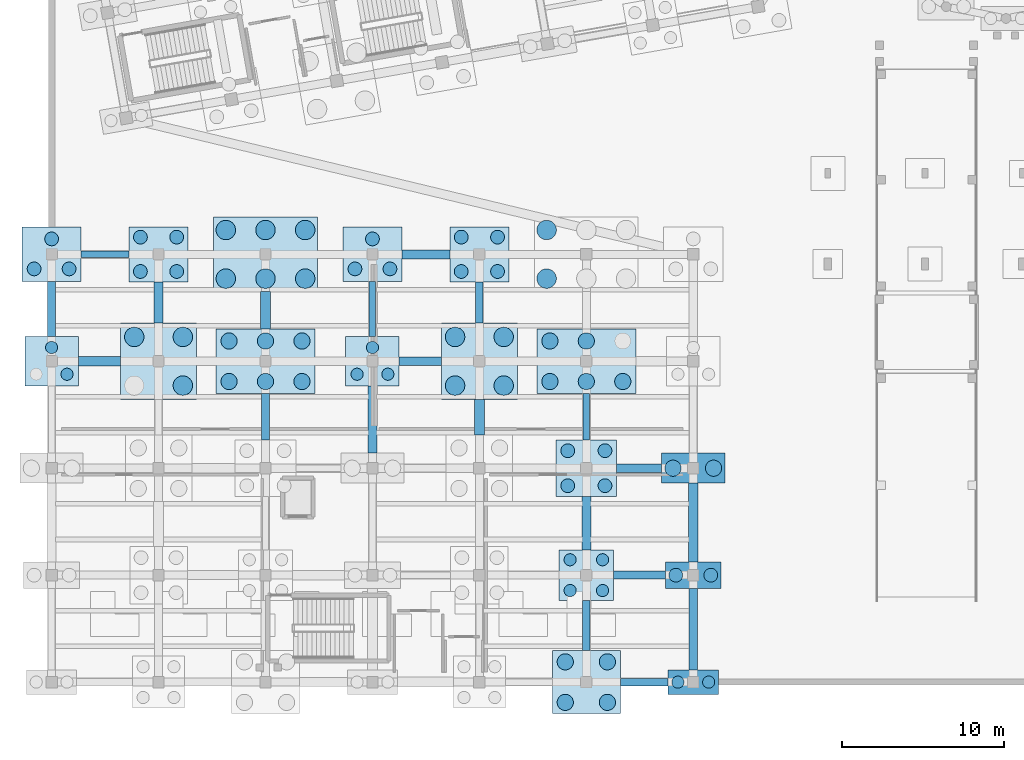
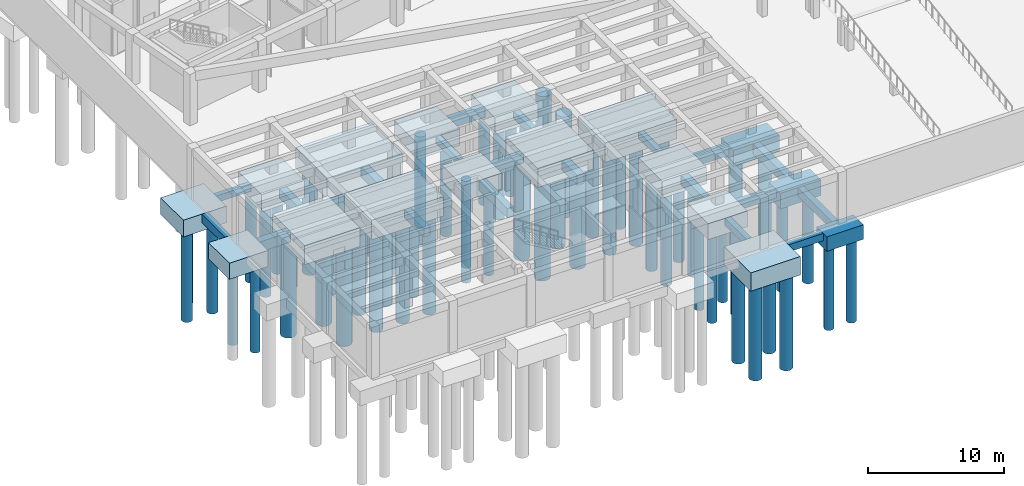
# One storey, part 2 of 34: 63 piles, 37 footings.
"""IFC4 building model written with IfcOpenShell, lengths in metres."""

from ifc_helpers import new_model, si_unit, direction, frame, origin, origin_2d, place, context, subcontext, project, spatial, rectangle, circle, extrude, material, material_profile, profile_set, type_object, element, save


model = new_model("IFC4")

# Units and contexts
model_context = context("Model", 3, precision=1e-05, world=origin(), true_north=direction((0.0, 1.0)))
body_context = subcontext(model_context, "Body", "Model", "MODEL_VIEW")
ifc_project = project(units=[si_unit("LENGTHUNIT", "METRE"), si_unit("AREAUNIT", "SQUARE_METRE"), si_unit("VOLUMEUNIT", "CUBIC_METRE"), si_unit("PLANEANGLEUNIT", "RADIAN"), si_unit("MASSUNIT", "GRAM", prefix="KILO")], contexts=[model_context])

# Site, building, storey
site_placement = place(None, origin())
site = spatial("IfcSite", under=ifc_project, at=site_placement, CompositionType="ELEMENT")
building_placement = place(site_placement, origin())
building = spatial("IfcBuilding", under=site, at=building_placement, Name="Kharisveld Research Institute", CompositionType="ELEMENT")
storey_placement = place(building_placement, frame((0.0, 0.0, -4.800048828125)))
storey = spatial("IfcBuildingStorey", under=building, at=storey_placement, Name="B1", CompositionType="ELEMENT", Elevation=-4.800048828125)

# Footings
ifc_material_1 = material(Name="Concrete C35/45", Category="concrete")
ifc_material_profile_1 = material_profile(ifc_material_1, rectangle(XDim=0.449951171875, YDim=0.64990234375, at=origin_2d()))
ifc_profile_set_1 = profile_set([ifc_material_profile_1], Name="Concrete C35/45")
footing_type_1 = type_object("IfcFootingType", Name="GB_01", PredefinedType="FOOTING_BEAM", material=ifc_profile_set_1)
footing_1_placement = place(storey_placement, frame((35.699951171875, 0.199951171875, -0.77490234375), z_axis=(1.0, 0.0, 0.0), x_axis=(0.0, 1.0, 0.0)))
element("IfcFooting", 1, at=footing_1_placement, inside=storey, type_object=footing_type_1, Name="FTG:GB:V3:U5_0", PredefinedType="FOOTING_BEAM", context=body_context, shape_type="SweptSolid", body=[
    extrude(rectangle(XDim=0.449951171875, YDim=0.64990234375, at=origin_2d()), origin(), (0.0, 0.0, 1.0), 2.949951171875),
])
footing_2_placement = place(storey_placement, frame((27.0, 22.35009765625, -0.77490234375), z_axis=(0.0, 1.0, 0.0), x_axis=(-1.0, 0.0, 0.0)))
element("IfcFooting", 2, at=footing_2_placement, inside=storey, type_object=footing_type_1, Name="FTG:GB:V3:V4_3", PredefinedType="FOOTING_BEAM", context=body_context, shape_type="SweptSolid", body=[
    extrude(rectangle(XDim=0.449951171875, YDim=0.64990234375, at=origin_2d()), origin(), (0.0, 0.0, 1.0), 2.5498046875),
])
footing_3_placement = place(storey_placement, frame((33.60009765625, 2.14990234375, -0.77490234375), z_axis=(0.0, 1.0, 0.0), x_axis=(-1.0, 0.0, 0.0)))
element("IfcFooting", 3, at=footing_3_placement, inside=storey, type_object=footing_type_1, Name="FTG:GB:V3:V5_0", PredefinedType="FOOTING_BEAM", context=body_context, shape_type="SweptSolid", body=[
    extrude(rectangle(XDim=0.449951171875, YDim=0.64990234375, at=origin_2d()), origin(), (0.0, 0.0, 1.0), 3.10009765625),
])
ifc_material_2 = material(Name="Concrete C35/45", Category="concrete")
ifc_material_profile_2 = material_profile(ifc_material_2, rectangle(XDim=0.5, YDim=0.75, at=origin_2d()))
ifc_profile_set_2 = profile_set([ifc_material_profile_2], Name="Concrete C35/45")
footing_type_2 = type_object("IfcFootingType", Name="GB_02", PredefinedType="FOOTING_BEAM", material=ifc_profile_set_2)
footing_4_placement = place(storey_placement, frame((35.27490234375, 6.800048828125, -0.824951171875), z_axis=(1.0, 0.0, 0.0), x_axis=(0.0, 1.0, 0.0)))
element("IfcFooting", 4, at=footing_4_placement, inside=storey, type_object=footing_type_2, Name="FTG:GB:V3:U5_1", PredefinedType="FOOTING_BEAM", context=body_context, shape_type="SweptSolid", body=[
    extrude(rectangle(XDim=0.5, YDim=0.75, at=origin_2d()), origin(), (0.0, 0.0, 1.0), 3.2001953125),
])
footing_5_placement = place(storey_placement, frame((22.050048828125, 20.0, -0.824951171875), z_axis=(1.0, 0.0, 0.0), x_axis=(0.0, 1.0, 0.0)))
element("IfcFooting", 5, at=footing_5_placement, inside=storey, type_object=footing_type_2, Name="FTG:GB:V3:U3_3", PredefinedType="FOOTING_BEAM", context=body_context, shape_type="SweptSolid", body=[
    extrude(rectangle(XDim=0.5, YDim=0.75, at=origin_2d()), origin(), (0.0, 0.0, 1.0), 2.599853515625),
])
footing_6_placement = place(storey_placement, frame((0.60009765625, 21.52490234375, -0.824951171875), z_axis=(0.0, 1.0, 0.0), x_axis=(-1.0, 0.0, 0.0)))
element("IfcFooting", 6, at=footing_6_placement, inside=storey, type_object=footing_type_2, Name="FTG:GB:V3:V0_3", PredefinedType="FOOTING_BEAM", context=body_context, shape_type="SweptSolid", body=[
    extrude(rectangle(XDim=0.5, YDim=0.75, at=origin_2d()), origin(), (0.0, 0.0, 1.0), 3.400146484375),
])
footing_7_placement = place(storey_placement, frame((13.800048828125, 15.14990234375, -0.824951171875), z_axis=(0.0, 1.0, 0.0), x_axis=(-1.0, 0.0, 0.0)))
element("IfcFooting", 7, at=footing_7_placement, inside=storey, type_object=footing_type_2, Name="FTG:GB:V3:V2_2", PredefinedType="FOOTING_BEAM", context=body_context, shape_type="SweptSolid", body=[
    extrude(rectangle(XDim=0.5, YDim=0.75, at=origin_2d()), origin(), (0.0, 0.0, 1.0), 2.85009765625),
])
footing_8_placement = place(storey_placement, frame((40.199951171875, 0.949951171875, -0.824951171875), z_axis=(0.0, 1.0, 0.0), x_axis=(-1.0, 0.0, 0.0)))
element("IfcFooting", 8, at=footing_8_placement, inside=storey, type_object=footing_type_2, Name="FTG:GB:V3:V6_0", PredefinedType="FOOTING_BEAM", context=body_context, shape_type="SweptSolid", body=[
    extrude(rectangle(XDim=0.5, YDim=0.75, at=origin_2d()), origin(), (0.0, 0.0, 1.0), 5.025146484375),
])
ifc_material_3 = material(Name="Concrete C35/45", Category="concrete")
ifc_material_profile_3 = material_profile(ifc_material_3, rectangle(XDim=0.550048828125, YDim=0.85009765625, at=origin_2d()))
ifc_profile_set_3 = profile_set([ifc_material_profile_3], Name="Concrete C35/45")
footing_type_3 = type_object("IfcFootingType", Name="GB_03", PredefinedType="FOOTING_BEAM", material=ifc_profile_set_3)
footing_9_placement = place(storey_placement, frame((35.47509765625, 13.39990234375, -0.875), z_axis=(1.0, 0.0, 0.0), x_axis=(0.0, 1.0, 0.0)))
element("IfcFooting", 9, at=footing_9_placement, inside=storey, type_object=footing_type_3, Name="FTG:GB:V3:U5_2", PredefinedType="FOOTING_BEAM", context=body_context, shape_type="SweptSolid", body=[
    extrude(rectangle(XDim=0.550048828125, YDim=0.85009765625, at=origin_2d()), origin(), (0.0, 0.0, 1.0), 2.77490234375),
])
footing_10_placement = place(storey_placement, frame((22.22509765625, 26.60009765625, -0.875), z_axis=(1.0, 0.0, 0.0), x_axis=(0.0, 1.0, 0.0)))
element("IfcFooting", 10, at=footing_10_placement, inside=storey, type_object=footing_type_3, Name="FTG:GB:V3:U3_4", PredefinedType="FOOTING_BEAM", context=body_context, shape_type="SweptSolid", body=[
    extrude(rectangle(XDim=0.550048828125, YDim=0.85009765625, at=origin_2d()), origin(), (0.0, 0.0, 1.0), 2.949951171875),
])
footing_11_placement = place(storey_placement, frame((7.199951171875, 22.35009765625, -0.875), z_axis=(0.0, 1.0, 0.0), x_axis=(-1.0, 0.0, 0.0)))
element("IfcFooting", 11, at=footing_11_placement, inside=storey, type_object=footing_type_3, Name="FTG:GB:V3:V1_3", PredefinedType="FOOTING_BEAM", context=body_context, shape_type="SweptSolid", body=[
    extrude(rectangle(XDim=0.550048828125, YDim=0.85009765625, at=origin_2d()), origin(), (0.0, 0.0, 1.0), 2.5498046875),
])
footing_12_placement = place(storey_placement, frame((20.39990234375, 14.324951171875, -0.875), z_axis=(0.0, 1.0, 0.0), x_axis=(-1.0, 0.0, 0.0)))
element("IfcFooting", 12, at=footing_12_placement, inside=storey, type_object=footing_type_3, Name="FTG:GB:V3:V3_2", PredefinedType="FOOTING_BEAM", context=body_context, shape_type="SweptSolid", body=[
    extrude(rectangle(XDim=0.550048828125, YDim=0.85009765625, at=origin_2d()), origin(), (0.0, 0.0, 1.0), 4.150146484375),
])
footing_13_placement = place(storey_placement, frame((33.60009765625, 8.35009765625, -0.875), z_axis=(0.0, 1.0, 0.0), x_axis=(-1.0, 0.0, 0.0)))
element("IfcFooting", 13, at=footing_13_placement, inside=storey, type_object=footing_type_3, Name="FTG:GB:V3:V5_1", PredefinedType="FOOTING_BEAM", context=body_context, shape_type="SweptSolid", body=[
    extrude(rectangle(XDim=0.550048828125, YDim=0.85009765625, at=origin_2d()), origin(), (0.0, 0.0, 1.0), 3.2998046875),
])
ifc_material_4 = material(Name="Concrete C35/45", Category="concrete")
ifc_material_profile_4 = material_profile(ifc_material_4, rectangle(XDim=0.60009765625, YDim=0.89990234375, at=origin_2d()))
ifc_profile_set_4 = profile_set([ifc_material_profile_4], Name="Concrete C35/45")
footing_type_4 = type_object("IfcFootingType", Name="GB_04", PredefinedType="FOOTING_BEAM", material=ifc_profile_set_4)
footing_14_placement = place(storey_placement, frame((2.25, 20.0, -0.89990234375), z_axis=(1.0, 0.0, 0.0), x_axis=(0.0, 1.0, 0.0)))
element("IfcFooting", 14, at=footing_14_placement, inside=storey, type_object=footing_type_4, Name="FTG:GB:V3:U0_3", PredefinedType="FOOTING_BEAM", context=body_context, shape_type="SweptSolid", body=[
    extrude(rectangle(XDim=0.60009765625, YDim=0.89990234375, at=origin_2d()), origin(), (0.0, 0.0, 1.0), 2.60009765625),
])
footing_15_placement = place(storey_placement, frame((13.800048828125, 22.0, -0.89990234375), z_axis=(0.0, 1.0, 0.0), x_axis=(-1.0, 0.0, 0.0)))
element("IfcFooting", 15, at=footing_15_placement, inside=storey, type_object=footing_type_4, Name="FTG:GB:V3:V2_3", PredefinedType="FOOTING_BEAM", context=body_context, shape_type="SweptSolid", body=[
    extrude(rectangle(XDim=0.60009765625, YDim=0.89990234375, at=origin_2d()), origin(), (0.0, 0.0, 1.0), 2.300048828125),
])
footing_16_placement = place(storey_placement, frame((27.0, 15.449951171875, -0.89990234375), z_axis=(0.0, 1.0, 0.0), x_axis=(-1.0, 0.0, 0.0)))
element("IfcFooting", 16, at=footing_16_placement, inside=storey, type_object=footing_type_4, Name="FTG:GB:V3:V4_2", PredefinedType="FOOTING_BEAM", context=body_context, shape_type="SweptSolid", body=[
    extrude(rectangle(XDim=0.60009765625, YDim=0.89990234375, at=origin_2d()), origin(), (0.0, 0.0, 1.0), 2.199951171875),
])
footing_17_placement = place(storey_placement, frame((40.199951171875, 7.625, -0.89990234375), z_axis=(0.0, 1.0, 0.0), x_axis=(-1.0, 0.0, 0.0)))
element("IfcFooting", 17, at=footing_17_placement, inside=storey, type_object=footing_type_4, Name="FTG:GB:V3:V6_1", PredefinedType="FOOTING_BEAM", context=body_context, shape_type="SweptSolid", body=[
    extrude(rectangle(XDim=0.60009765625, YDim=0.89990234375, at=origin_2d()), origin(), (0.0, 0.0, 1.0), 4.85009765625),
])
ifc_material_5 = material(Name="Concrete C35/45", Category="concrete")
ifc_material_profile_5 = material_profile(ifc_material_5, rectangle(XDim=0.39990234375, YDim=0.60009765625, at=origin_2d()))
ifc_profile_set_5 = profile_set([ifc_material_profile_5], Name="Concrete C35/45")
footing_type_5 = type_object("IfcFootingType", Name="GB_05", PredefinedType="FOOTING_BEAM", material=ifc_profile_set_5)
footing_18_placement = place(storey_placement, frame((2.425048828125, 26.60009765625, -0.75), z_axis=(1.0, 0.0, 0.0), x_axis=(0.0, 1.0, 0.0)))
element("IfcFooting", 18, at=footing_18_placement, inside=storey, type_object=footing_type_5, Name="FTG:GB:V3:U0_4", PredefinedType="FOOTING_BEAM", context=body_context, shape_type="SweptSolid", body=[
    extrude(rectangle(XDim=0.39990234375, YDim=0.60009765625, at=origin_2d()), origin(), (0.0, 0.0, 1.0), 2.949951171875),
])
footing_19_placement = place(storey_placement, frame((20.39990234375, 21.52490234375, -0.75), z_axis=(0.0, 1.0, 0.0), x_axis=(-1.0, 0.0, 0.0)))
element("IfcFooting", 19, at=footing_19_placement, inside=storey, type_object=footing_type_5, Name="FTG:GB:V3:V3_3", PredefinedType="FOOTING_BEAM", context=body_context, shape_type="SweptSolid", body=[
    extrude(rectangle(XDim=0.39990234375, YDim=0.60009765625, at=origin_2d()), origin(), (0.0, 0.0, 1.0), 3.400146484375),
])
footing_20_placement = place(storey_placement, frame((33.60009765625, 15.14990234375, -0.75), z_axis=(0.0, 1.0, 0.0), x_axis=(-1.0, 0.0, 0.0)))
element("IfcFooting", 20, at=footing_20_placement, inside=storey, type_object=footing_type_5, Name="FTG:GB:V3:V5_2", PredefinedType="FOOTING_BEAM", context=body_context, shape_type="SweptSolid", body=[
    extrude(rectangle(XDim=0.39990234375, YDim=0.60009765625, at=origin_2d()), origin(), (0.0, 0.0, 1.0), 2.85009765625),
])
ifc_material_6 = material(Name="Concrete C35/45", Category="concrete")
footing_type_6 = type_object("IfcFootingType", Name="PC_2P_A", PredefinedType="PILE_CAP", material=ifc_material_6)
footing_21_placement = place(storey_placement, frame((40.199951171875, 0.199951171875, -1.75), z_axis=(0.0, 0.0, 1.0), x_axis=(1.0, 0.0, 0.0)))
element("IfcFooting", 21, at=footing_21_placement, inside=storey, type_object=footing_type_6, Name="FTG:V3:U6V0", PredefinedType="PILE_CAP", context=body_context, shape_type="SweptSolid", body=[
    extrude(rectangle(XDim=3.10009765625, YDim=1.5, at=origin_2d()), origin(), (0.0, 0.0, 1.0), 1.300048828125),
])
ifc_material_7 = material(Name="Concrete C35/45", Category="concrete")
footing_type_7 = type_object("IfcFootingType", Name="PC_2P_B", PredefinedType="PILE_CAP", material=ifc_material_7)
footing_22_placement = place(storey_placement, frame((40.199951171875, 6.800048828125, -1.849853515625), z_axis=(0.0, 0.0, 1.0), x_axis=(1.0, 0.0, 0.0)))
element("IfcFooting", 22, at=footing_22_placement, inside=storey, type_object=footing_type_7, Name="FTG:V3:U6V1", PredefinedType="PILE_CAP", context=body_context, shape_type="SweptSolid", body=[
    extrude(rectangle(XDim=3.449951171875, YDim=1.64990234375, at=origin_2d()), origin(), (0.0, 0.0, 1.0), 1.39990234375),
])
ifc_material_8 = material(Name="Concrete C35/45", Category="concrete")
footing_type_8 = type_object("IfcFootingType", Name="PC_2P_C", PredefinedType="PILE_CAP", material=ifc_material_8)
footing_23_placement = place(storey_placement, frame((40.199951171875, 13.39990234375, -1.89990234375), z_axis=(0.0, 0.0, 1.0), x_axis=(1.0, 0.0, 0.0)))
element("IfcFooting", 23, at=footing_23_placement, inside=storey, type_object=footing_type_8, Name="FTG:V3:U6V2", PredefinedType="PILE_CAP", context=body_context, shape_type="SweptSolid", body=[
    extrude(rectangle(XDim=3.89990234375, YDim=1.85009765625, at=origin_2d()), origin(), (0.0, 0.0, 1.0), 1.449951171875),
])
ifc_material_9 = material(Name="Concrete C35/45", Category="concrete")
footing_type_9 = type_object("IfcFootingType", Name="PC_3P_A", PredefinedType="PILE_CAP", material=ifc_material_9)
for number, where, z_axis, x_axis, name in (
    (24, (0.60009765625, 20.0, -1.89990234375), (0.0, 0.0, 1.0), (1.0, 0.0, 0.0), "FTG:V3:U0V3"),
    (25, (20.39990234375, 20.0, -1.89990234375), (0.0, 0.0, 1.0), (1.0, 0.0, 0.0), "FTG:V3:U3V3"),
):
    element("IfcFooting", number, at=place(storey_placement, frame(where, z_axis=z_axis, x_axis=x_axis)), inside=storey, type_object=footing_type_9, Name=name, PredefinedType="PILE_CAP", context=body_context, shape_type="SweptSolid", body=[
        extrude(rectangle(XDim=3.300048828125, YDim=3.050048828125, at=origin_2d()), origin(), (0.0, 0.0, 1.0), 1.449951171875),
    ])
ifc_material_10 = material(Name="Concrete C35/45", Category="concrete")
footing_type_10 = type_object("IfcFootingType", Name="PC_3P_B", PredefinedType="PILE_CAP", material=ifc_material_10)
for number, where, z_axis, x_axis, name in (
    (26, (0.60009765625, 26.60009765625, -1.949951171875), (0.0, 0.0, 1.0), (1.0, 0.0, 0.0), "FTG:V3:U0V4"),
    (27, (20.39990234375, 26.60009765625, -1.949951171875), (0.0, 0.0, 1.0), (1.0, 0.0, 0.0), "FTG:V3:U3V4"),
):
    element("IfcFooting", number, at=place(storey_placement, frame(where, z_axis=z_axis, x_axis=x_axis)), inside=storey, type_object=footing_type_10, Name=name, PredefinedType="PILE_CAP", context=body_context, shape_type="SweptSolid", body=[
        extrude(rectangle(XDim=3.64990234375, YDim=3.35009765625, at=origin_2d()), origin(), (0.0, 0.0, 1.0), 1.5),
    ])
ifc_material_11 = material(Name="Concrete C35/45", Category="concrete")
footing_type_11 = type_object("IfcFootingType", Name="PC_4P_D", PredefinedType="PILE_CAP", material=ifc_material_11)
for number, where, z_axis, x_axis, name in (
    (28, (7.199951171875, 20.0, -2.14990234375), (0.0, 0.0, 1.0), (1.0, 0.0, 0.0), "FTG:V3:U1V3"),
    (29, (27.0, 20.0, -2.14990234375), (0.0, 0.0, 1.0), (1.0, 0.0, 0.0), "FTG:V3:U4V3"),
):
    element("IfcFooting", number, at=place(storey_placement, frame(where, z_axis=z_axis, x_axis=x_axis)), inside=storey, type_object=footing_type_11, Name=name, PredefinedType="PILE_CAP", context=body_context, shape_type="SweptSolid", body=[
        extrude(rectangle(XDim=4.699951171875, YDim=4.699951171875, at=origin_2d()), origin(), (0.0, 0.0, 1.0), 1.699951171875),
    ])
ifc_material_12 = material(Name="Concrete C35/45", Category="concrete")
footing_type_12 = type_object("IfcFootingType", Name="PC_4P_E", PredefinedType="PILE_CAP", material=ifc_material_12)
for number, where, z_axis, x_axis, name in (
    (30, (7.199951171875, 26.60009765625, -2.0), (0.0, 0.0, 1.0), (1.0, 0.0, 0.0), "FTG:V3:U1V4"),
    (31, (27.0, 26.60009765625, -2.0), (0.0, 0.0, 1.0), (1.0, 0.0, 0.0), "FTG:V3:U4V4"),
):
    element("IfcFooting", number, at=place(storey_placement, frame(where, z_axis=z_axis, x_axis=x_axis)), inside=storey, type_object=footing_type_12, Name=name, PredefinedType="PILE_CAP", context=body_context, shape_type="SweptSolid", body=[
        extrude(rectangle(XDim=3.64990234375, YDim=3.39990234375, at=origin_2d()), origin(), (0.0, 0.0, 1.0), 1.550048828125),
    ])
ifc_material_13 = material(Name="Concrete C35/45", Category="concrete")
footing_type_13 = type_object("IfcFootingType", Name="PC_4P_F", PredefinedType="PILE_CAP", material=ifc_material_13)
footing_24_placement = place(storey_placement, frame((33.60009765625, 0.199951171875, -2.099853515625), z_axis=(0.0, 0.0, 1.0), x_axis=(1.0, 0.0, 0.0)))
element("IfcFooting", 32, at=footing_24_placement, inside=storey, type_object=footing_type_13, Name="FTG:V3:U5V0", PredefinedType="PILE_CAP", context=body_context, shape_type="SweptSolid", body=[
    extrude(rectangle(XDim=4.199951171875, YDim=3.89990234375, at=origin_2d()), origin(), (0.0, 0.0, 1.0), 1.64990234375),
])
ifc_material_14 = material(Name="Concrete C35/45", Category="concrete")
footing_type_14 = type_object("IfcFootingType", Name="PC_4P_G", PredefinedType="PILE_CAP", material=ifc_material_14)
footing_25_placement = place(storey_placement, frame((33.60009765625, 6.800048828125, -1.869873046875), z_axis=(0.0, 0.0, 1.0), x_axis=(1.0, 0.0, 0.0)))
element("IfcFooting", 33, at=footing_25_placement, inside=storey, type_object=footing_type_14, Name="FTG:V3:U5V1", PredefinedType="PILE_CAP", context=body_context, shape_type="SweptSolid", body=[
    extrude(rectangle(XDim=3.35009765625, YDim=3.10009765625, at=origin_2d()), origin(), (0.0, 0.0, 1.0), 1.419921875),
])
ifc_material_15 = material(Name="Concrete C35/45", Category="concrete")
footing_type_15 = type_object("IfcFootingType", Name="PC_4P_H", PredefinedType="PILE_CAP", material=ifc_material_15)
footing_26_placement = place(storey_placement, frame((33.60009765625, 13.39990234375, -1.969970703125), z_axis=(0.0, 0.0, 1.0), x_axis=(1.0, 0.0, 0.0)))
element("IfcFooting", 34, at=footing_26_placement, inside=storey, type_object=footing_type_15, Name="FTG:V3:U5V2", PredefinedType="PILE_CAP", context=body_context, shape_type="SweptSolid", body=[
    extrude(rectangle(XDim=3.75, YDim=3.5, at=origin_2d()), origin(), (0.0, 0.0, 1.0), 1.52001953125),
])
ifc_material_16 = material(Name="Concrete C35/45", Category="concrete")
footing_type_16 = type_object("IfcFootingType", Name="PC_6P_A", PredefinedType="PILE_CAP", material=ifc_material_16)
for number, where, z_axis, x_axis, name in (
    (35, (13.800048828125, 20.0, -2.199951171875), (0.0, 0.0, 1.0), (1.0, 0.0, 0.0), "FTG:V3:U2V3"),
    (36, (33.60009765625, 20.0, -2.199951171875), (0.0, 0.0, 1.0), (1.0, 0.0, 0.0), "FTG:V3:U5V3"),
):
    element("IfcFooting", number, at=place(storey_placement, frame(where, z_axis=z_axis, x_axis=x_axis)), inside=storey, type_object=footing_type_16, Name=name, PredefinedType="PILE_CAP", context=body_context, shape_type="SweptSolid", body=[
        extrude(rectangle(XDim=6.10009765625, YDim=4.0, at=origin_2d()), origin(), (0.0, 0.0, 1.0), 1.75),
    ])
ifc_material_17 = material(Name="Concrete C35/45", Category="concrete")
footing_type_17 = type_object("IfcFootingType", Name="PC_6P_B", PredefinedType="PILE_CAP", material=ifc_material_17)
footing_27_placement = place(storey_placement, frame((13.800048828125, 26.60009765625, -2.300048828125), z_axis=(0.0, 0.0, 1.0), x_axis=(1.0, 0.0, 0.0)))
element("IfcFooting", 37, at=footing_27_placement, inside=storey, type_object=footing_type_17, Name="FTG:V3:U2V4", PredefinedType="PILE_CAP", context=body_context, shape_type="SweptSolid", body=[
    extrude(rectangle(XDim=6.39990234375, YDim=4.60009765625, at=origin_2d()), origin(), (0.0, 0.0, 1.0), 1.85009765625),
])

# Piles
ifc_material_18 = material(Name="Concrete C40/50", Category="concrete")
ifc_material_profile_6 = material_profile(ifc_material_18, circle(Radius=0.5, at=origin_2d()))
ifc_profile_set_6 = profile_set([ifc_material_profile_6], Name="Concrete C40/50")
pile_type_1 = type_object("IfcPileType", Name="PILE_D1000", PredefinedType="BORED", material=ifc_profile_set_6)
for number, where, z_axis, x_axis, name in (
    (38, (11.550048828125, 18.75, -2.099853515625), (0.0, 0.0, -1.0), (1.0, 0.0, 0.0), "PILE:V3:U2V3:P1"),
    (39, (13.800048828125, 18.75, -2.099853515625), (0.0, 0.0, -1.0), (1.0, 0.0, 0.0), "PILE:V3:U2V3:P2"),
    (40, (16.050048828125, 18.75, -2.099853515625), (0.0, 0.0, -1.0), (1.0, 0.0, 0.0), "PILE:V3:U2V3:P3"),
    (41, (11.550048828125, 21.25, -2.099853515625), (0.0, 0.0, -1.0), (1.0, 0.0, 0.0), "PILE:V3:U2V3:P4"),
    (42, (13.800048828125, 21.25, -2.099853515625), (0.0, 0.0, -1.0), (1.0, 0.0, 0.0), "PILE:V3:U2V3:P5"),
    (43, (16.050048828125, 21.25, -2.099853515625), (0.0, 0.0, -1.0), (1.0, 0.0, 0.0), "PILE:V3:U2V3:P6"),
):
    element("IfcPile", number, at=place(storey_placement, frame(where, z_axis=z_axis, x_axis=x_axis)), inside=storey, type_object=pile_type_1, Name=name, PredefinedType="BORED", context=body_context, shape_type="SweptSolid", body=[
        extrude(circle(Radius=0.5, at=origin_2d()), origin(), (0.0, 0.0, 1.0), 8.800048828125),
    ])
for number, where, z_axis, x_axis, name in (
    (44, (32.300048828125, -1.050048828125, -2.0), (0.0, 0.0, -1.0), (1.0, 0.0, 0.0), "PILE:V3:U5V0:P1"),
    (45, (34.89990234375, -1.050048828125, -2.0), (0.0, 0.0, -1.0), (1.0, 0.0, 0.0), "PILE:V3:U5V0:P2"),
    (46, (34.89990234375, 1.449951171875, -2.0), (0.0, 0.0, -1.0), (1.0, 0.0, 0.0), "PILE:V3:U5V0:P3"),
    (47, (32.300048828125, 1.449951171875, -2.0), (0.0, 0.0, -1.0), (1.0, 0.0, 0.0), "PILE:V3:U5V0:P4"),
):
    element("IfcPile", number, at=place(storey_placement, frame(where, z_axis=z_axis, x_axis=x_axis)), inside=storey, type_object=pile_type_1, Name=name, PredefinedType="BORED", context=body_context, shape_type="SweptSolid", body=[
        extrude(circle(Radius=0.5, at=origin_2d()), origin(), (0.0, 0.0, 1.0), 8.5),
    ])
for number, where, z_axis, x_axis, name in (
    (48, (31.35009765625, 18.75, -2.099853515625), (0.0, 0.0, -1.0), (1.0, 0.0, 0.0), "PILE:V3:U5V3:P1"),
    (49, (33.60009765625, 18.75, -2.099853515625), (0.0, 0.0, -1.0), (1.0, 0.0, 0.0), "PILE:V3:U5V3:P2"),
    (50, (35.85009765625, 18.75, -2.099853515625), (0.0, 0.0, -1.0), (1.0, 0.0, 0.0), "PILE:V3:U5V3:P3"),
    (51, (31.35009765625, 21.25, -2.099853515625), (0.0, 0.0, -1.0), (1.0, 0.0, 0.0), "PILE:V3:U5V3:P4"),
    (52, (33.60009765625, 21.25, -2.099853515625), (0.0, 0.0, -1.0), (1.0, 0.0, 0.0), "PILE:V3:U5V3:P5"),
):
    element("IfcPile", number, at=place(storey_placement, frame(where, z_axis=z_axis, x_axis=x_axis)), inside=storey, type_object=pile_type_1, Name=name, PredefinedType="BORED", context=body_context, shape_type="SweptSolid", body=[
        extrude(circle(Radius=0.5, at=origin_2d()), origin(), (0.0, 0.0, 1.0), 8.800048828125),
    ])
for number, where, z_axis, x_axis, name in (
    (53, (38.949951171875, 13.39990234375, -1.800048828125), (0.0, 0.0, -1.0), (1.0, 0.0, 0.0), "PILE:V3:U6V2:P1"),
    (54, (41.449951171875, 13.39990234375, -1.800048828125), (0.0, 0.0, -1.0), (1.0, 0.0, 0.0), "PILE:V3:U6V2:P2"),
):
    element("IfcPile", number, at=place(storey_placement, frame(where, z_axis=z_axis, x_axis=x_axis)), inside=storey, type_object=pile_type_1, Name=name, PredefinedType="BORED", context=body_context, shape_type="SweptSolid", body=[
        extrude(circle(Radius=0.5, at=origin_2d()), origin(), (0.0, 0.0, 1.0), 8.300048828125),
    ])
ifc_material_19 = material(Name="Concrete C40/50", Category="concrete")
ifc_material_profile_7 = material_profile(ifc_material_19, circle(Radius=0.60009765625, at=origin_2d()))
ifc_profile_set_7 = profile_set([ifc_material_profile_7], Name="Concrete C40/50")
pile_type_2 = type_object("IfcPileType", Name="PILE_D1200", PredefinedType="BORED", material=ifc_profile_set_7)
for number, where, z_axis, x_axis, name in (
    (55, (8.699951171875, 18.5, -2.050048828125), (0.0, 0.0, -1.0), (1.0, 0.0, 0.0), "PILE:V3:U1V3:P2"),
    (56, (8.699951171875, 21.5, -2.050048828125), (0.0, 0.0, -1.0), (1.0, 0.0, 0.0), "PILE:V3:U1V3:P3"),
    (57, (5.699951171875, 21.5, -2.050048828125), (0.0, 0.0, -1.0), (1.0, 0.0, 0.0), "PILE:V3:U1V3:P4"),
):
    element("IfcPile", number, at=place(storey_placement, frame(where, z_axis=z_axis, x_axis=x_axis)), inside=storey, type_object=pile_type_2, Name=name, PredefinedType="BORED", context=body_context, shape_type="SweptSolid", body=[
        extrude(circle(Radius=0.60009765625, at=origin_2d()), origin(), (0.0, 0.0, 1.0), 8.89990234375),
    ])
for number, where, z_axis, x_axis, name in (
    (58, (11.35009765625, 25.10009765625, -2.199951171875), (0.0, 0.0, -1.0), (1.0, 0.0, 0.0), "PILE:V3:U2V4:P1"),
    (59, (13.800048828125, 25.10009765625, -2.199951171875), (0.0, 0.0, -1.0), (1.0, 0.0, 0.0), "PILE:V3:U2V4:P2"),
    (60, (16.25, 25.10009765625, -2.199951171875), (0.0, 0.0, -1.0), (1.0, 0.0, 0.0), "PILE:V3:U2V4:P3"),
    (61, (11.35009765625, 28.10009765625, -2.199951171875), (0.0, 0.0, -1.0), (1.0, 0.0, 0.0), "PILE:V3:U2V4:P4"),
    (62, (13.800048828125, 28.10009765625, -2.199951171875), (0.0, 0.0, -1.0), (1.0, 0.0, 0.0), "PILE:V3:U2V4:P5"),
    (63, (16.25, 28.10009765625, -2.199951171875), (0.0, 0.0, -1.0), (1.0, 0.0, 0.0), "PILE:V3:U2V4:P6"),
):
    element("IfcPile", number, at=place(storey_placement, frame(where, z_axis=z_axis, x_axis=x_axis)), inside=storey, type_object=pile_type_2, Name=name, PredefinedType="BORED", context=body_context, shape_type="SweptSolid", body=[
        extrude(circle(Radius=0.60009765625, at=origin_2d()), origin(), (0.0, 0.0, 1.0), 9.10009765625),
    ])
for number, where, z_axis, x_axis, name in (
    (64, (25.5, 18.5, -2.050048828125), (0.0, 0.0, -1.0), (1.0, 0.0, 0.0), "PILE:V3:U4V3:P1"),
    (65, (28.5, 18.5, -2.050048828125), (0.0, 0.0, -1.0), (1.0, 0.0, 0.0), "PILE:V3:U4V3:P2"),
    (66, (28.5, 21.5, -2.050048828125), (0.0, 0.0, -1.0), (1.0, 0.0, 0.0), "PILE:V3:U4V3:P3"),
    (67, (25.5, 21.5, -2.050048828125), (0.0, 0.0, -1.0), (1.0, 0.0, 0.0), "PILE:V3:U4V3:P4"),
):
    element("IfcPile", number, at=place(storey_placement, frame(where, z_axis=z_axis, x_axis=x_axis)), inside=storey, type_object=pile_type_2, Name=name, PredefinedType="BORED", context=body_context, shape_type="SweptSolid", body=[
        extrude(circle(Radius=0.60009765625, at=origin_2d()), origin(), (0.0, 0.0, 1.0), 8.89990234375),
    ])
for number, where, z_axis, x_axis, name in (
    (68, (31.14990234375, 25.10009765625, -2.199951171875), (0.0, 0.0, -1.0), (1.0, 0.0, 0.0), "PILE:V3:U5V4:P1"),
    (69, (31.14990234375, 28.10009765625, -2.199951171875), (0.0, 0.0, -1.0), (1.0, 0.0, 0.0), "PILE:V3:U5V4:P4"),
):
    element("IfcPile", number, at=place(storey_placement, frame(where, z_axis=z_axis, x_axis=x_axis)), inside=storey, type_object=pile_type_2, Name=name, PredefinedType="BORED", context=body_context, shape_type="SweptSolid", body=[
        extrude(circle(Radius=0.60009765625, at=origin_2d()), origin(), (0.0, 0.0, 1.0), 9.10009765625),
    ])
ifc_material_20 = material(Name="Concrete C40/50", Category="concrete")
ifc_material_profile_8 = material_profile(ifc_material_20, circle(Radius=0.375, at=origin_2d()))
ifc_profile_set_8 = profile_set([ifc_material_profile_8], Name="Concrete C40/50")
pile_type_3 = type_object("IfcPileType", Name="PILE_D750", PredefinedType="BORED", material=ifc_profile_set_8)
for number, where, z_axis, x_axis, name in (
    (70, (1.550048828125, 19.199951171875, -1.800048828125), (0.0, 0.0, -1.0), (1.0, 0.0, 0.0), "PILE:V3:U0V3:P2"),
    (71, (0.60009765625, 20.85009765625, -1.800048828125), (0.0, 0.0, -1.0), (1.0, 0.0, 0.0), "PILE:V3:U0V3:P3"),
    (72, (19.449951171875, 19.199951171875, -1.800048828125), (0.0, 0.0, -1.0), (1.0, 0.0, 0.0), "PILE:V3:U3V3:P1"),
    (73, (21.35009765625, 19.199951171875, -1.800048828125), (0.0, 0.0, -1.0), (1.0, 0.0, 0.0), "PILE:V3:U3V3:P2"),
    (74, (20.39990234375, 20.85009765625, -1.800048828125), (0.0, 0.0, -1.0), (1.0, 0.0, 0.0), "PILE:V3:U3V3:P3"),
):
    element("IfcPile", number, at=place(storey_placement, frame(where, z_axis=z_axis, x_axis=x_axis)), inside=storey, type_object=pile_type_3, Name=name, PredefinedType="BORED", context=body_context, shape_type="SweptSolid", body=[
        extrude(circle(Radius=0.375, at=origin_2d()), origin(), (0.0, 0.0, 1.0), 7.800048828125),
    ])
for number, where, z_axis, x_axis, name in (
    (75, (32.60009765625, 5.85009765625, -1.77001953125), (0.0, 0.0, -1.0), (1.0, 0.0, 0.0), "PILE:V3:U5V1:P1"),
    (76, (34.60009765625, 5.85009765625, -1.77001953125), (0.0, 0.0, -1.0), (1.0, 0.0, 0.0), "PILE:V3:U5V1:P2"),
    (77, (34.60009765625, 7.75, -1.77001953125), (0.0, 0.0, -1.0), (1.0, 0.0, 0.0), "PILE:V3:U5V1:P3"),
    (78, (32.60009765625, 7.75, -1.77001953125), (0.0, 0.0, -1.0), (1.0, 0.0, 0.0), "PILE:V3:U5V1:P4"),
):
    element("IfcPile", number, at=place(storey_placement, frame(where, z_axis=z_axis, x_axis=x_axis)), inside=storey, type_object=pile_type_3, Name=name, PredefinedType="BORED", context=body_context, shape_type="SweptSolid", body=[
        extrude(circle(Radius=0.375, at=origin_2d()), origin(), (0.0, 0.0, 1.0), 7.949951171875),
    ])
for number, where, z_axis, x_axis, name in (
    (79, (39.25, 0.199951171875, -1.64990234375), (0.0, 0.0, -1.0), (1.0, 0.0, 0.0), "PILE:V3:U6V0:P1"),
    (80, (41.14990234375, 0.199951171875, -1.64990234375), (0.0, 0.0, -1.0), (1.0, 0.0, 0.0), "PILE:V3:U6V0:P2"),
):
    element("IfcPile", number, at=place(storey_placement, frame(where, z_axis=z_axis, x_axis=x_axis)), inside=storey, type_object=pile_type_3, Name=name, PredefinedType="BORED", context=body_context, shape_type="SweptSolid", body=[
        extrude(circle(Radius=0.375, at=origin_2d()), origin(), (0.0, 0.0, 1.0), 7.60009765625),
    ])
ifc_material_21 = material(Name="Concrete C40/50", Category="concrete")
ifc_material_profile_9 = material_profile(ifc_material_21, circle(Radius=0.425048828125, at=origin_2d()))
ifc_profile_set_9 = profile_set([ifc_material_profile_9], Name="Concrete C40/50")
pile_type_4 = type_object("IfcPileType", Name="PILE_D850", PredefinedType="BORED", material=ifc_profile_set_9)
for number, where, z_axis, x_axis, name in (
    (81, (-0.47998046875, 25.699951171875, -1.849853515625), (0.0, 0.0, -1.0), (1.0, 0.0, 0.0), "PILE:V3:U0V4:P1"),
    (82, (1.679931640625, 25.699951171875, -1.849853515625), (0.0, 0.0, -1.0), (1.0, 0.0, 0.0), "PILE:V3:U0V4:P2"),
    (83, (0.60009765625, 27.550048828125, -1.849853515625), (0.0, 0.0, -1.0), (1.0, 0.0, 0.0), "PILE:V3:U0V4:P3"),
):
    element("IfcPile", number, at=place(storey_placement, frame(where, z_axis=z_axis, x_axis=x_axis)), inside=storey, type_object=pile_type_4, Name=name, PredefinedType="BORED", context=body_context, shape_type="SweptSolid", body=[
        extrude(circle(Radius=0.425048828125, at=origin_2d()), origin(), (0.0, 0.0, 1.0), 8.199951171875),
    ])
for number, where, z_axis, x_axis, name in (
    (84, (6.080078125, 25.5400390625, -1.89990234375), (0.0, 0.0, -1.0), (1.0, 0.0, 0.0), "PILE:V3:U1V4:P1"),
    (85, (8.320068359375, 25.5400390625, -1.89990234375), (0.0, 0.0, -1.0), (1.0, 0.0, 0.0), "PILE:V3:U1V4:P2"),
    (86, (8.320068359375, 27.659912109375, -1.89990234375), (0.0, 0.0, -1.0), (1.0, 0.0, 0.0), "PILE:V3:U1V4:P3"),
    (87, (6.080078125, 27.659912109375, -1.89990234375), (0.0, 0.0, -1.0), (1.0, 0.0, 0.0), "PILE:V3:U1V4:P4"),
):
    element("IfcPile", number, at=place(storey_placement, frame(where, z_axis=z_axis, x_axis=x_axis)), inside=storey, type_object=pile_type_4, Name=name, PredefinedType="BORED", context=body_context, shape_type="SweptSolid", body=[
        extrude(circle(Radius=0.425048828125, at=origin_2d()), origin(), (0.0, 0.0, 1.0), 8.10009765625),
    ])
for number, where, z_axis, x_axis, name in (
    (88, (19.320068359375, 25.699951171875, -1.849853515625), (0.0, 0.0, -1.0), (1.0, 0.0, 0.0), "PILE:V3:U3V4:P1"),
    (89, (21.47998046875, 25.699951171875, -1.849853515625), (0.0, 0.0, -1.0), (1.0, 0.0, 0.0), "PILE:V3:U3V4:P2"),
    (90, (20.39990234375, 27.550048828125, -1.849853515625), (0.0, 0.0, -1.0), (1.0, 0.0, 0.0), "PILE:V3:U3V4:P3"),
):
    element("IfcPile", number, at=place(storey_placement, frame(where, z_axis=z_axis, x_axis=x_axis)), inside=storey, type_object=pile_type_4, Name=name, PredefinedType="BORED", context=body_context, shape_type="SweptSolid", body=[
        extrude(circle(Radius=0.425048828125, at=origin_2d()), origin(), (0.0, 0.0, 1.0), 8.199951171875),
    ])
for number, where, z_axis, x_axis, name in (
    (91, (25.8798828125, 25.5400390625, -1.89990234375), (0.0, 0.0, -1.0), (1.0, 0.0, 0.0), "PILE:V3:U4V4:P1"),
    (92, (28.1201171875, 25.5400390625, -1.89990234375), (0.0, 0.0, -1.0), (1.0, 0.0, 0.0), "PILE:V3:U4V4:P2"),
    (93, (28.1201171875, 27.659912109375, -1.89990234375), (0.0, 0.0, -1.0), (1.0, 0.0, 0.0), "PILE:V3:U4V4:P3"),
    (94, (25.8798828125, 27.659912109375, -1.89990234375), (0.0, 0.0, -1.0), (1.0, 0.0, 0.0), "PILE:V3:U4V4:P4"),
):
    element("IfcPile", number, at=place(storey_placement, frame(where, z_axis=z_axis, x_axis=x_axis)), inside=storey, type_object=pile_type_4, Name=name, PredefinedType="BORED", context=body_context, shape_type="SweptSolid", body=[
        extrude(circle(Radius=0.425048828125, at=origin_2d()), origin(), (0.0, 0.0, 1.0), 8.10009765625),
    ])
for number, where, z_axis, x_axis, name in (
    (95, (32.449951171875, 12.320068359375, -1.869873046875), (0.0, 0.0, -1.0), (1.0, 0.0, 0.0), "PILE:V3:U5V2:P1"),
    (96, (34.75, 12.320068359375, -1.869873046875), (0.0, 0.0, -1.0), (1.0, 0.0, 0.0), "PILE:V3:U5V2:P2"),
    (97, (34.75, 14.47998046875, -1.869873046875), (0.0, 0.0, -1.0), (1.0, 0.0, 0.0), "PILE:V3:U5V2:P3"),
    (98, (32.449951171875, 14.47998046875, -1.869873046875), (0.0, 0.0, -1.0), (1.0, 0.0, 0.0), "PILE:V3:U5V2:P4"),
):
    element("IfcPile", number, at=place(storey_placement, frame(where, z_axis=z_axis, x_axis=x_axis)), inside=storey, type_object=pile_type_4, Name=name, PredefinedType="BORED", context=body_context, shape_type="SweptSolid", body=[
        extrude(circle(Radius=0.425048828125, at=origin_2d()), origin(), (0.0, 0.0, 1.0), 8.35009765625),
    ])
for number, where, z_axis, x_axis, name in (
    (99, (39.1201171875, 6.800048828125, -1.75), (0.0, 0.0, -1.0), (1.0, 0.0, 0.0), "PILE:V3:U6V1:P1"),
    (100, (41.280029296875, 6.800048828125, -1.75), (0.0, 0.0, -1.0), (1.0, 0.0, 0.0), "PILE:V3:U6V1:P2"),
):
    element("IfcPile", number, at=place(storey_placement, frame(where, z_axis=z_axis, x_axis=x_axis)), inside=storey, type_object=pile_type_4, Name=name, PredefinedType="BORED", context=body_context, shape_type="SweptSolid", body=[
        extrude(circle(Radius=0.425048828125, at=origin_2d()), origin(), (0.0, 0.0, 1.0), 8.0),
    ])

save(model, "model.ifc")
